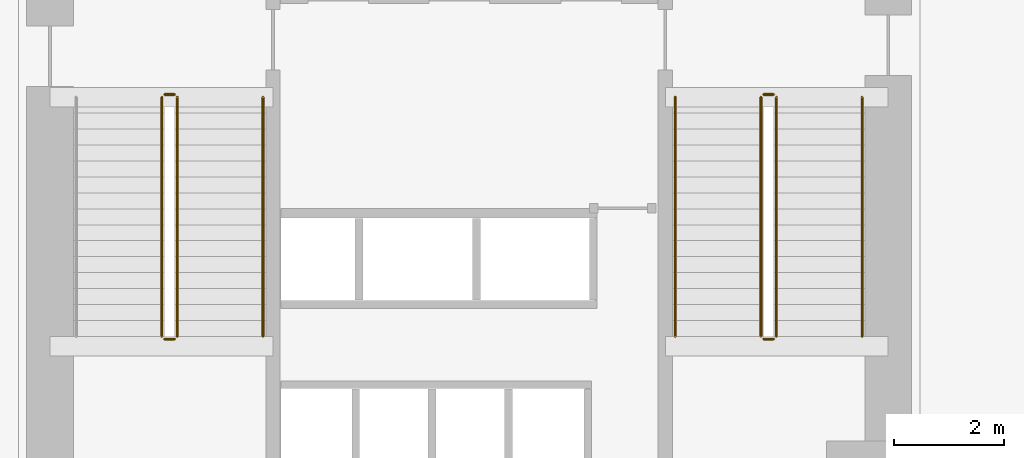
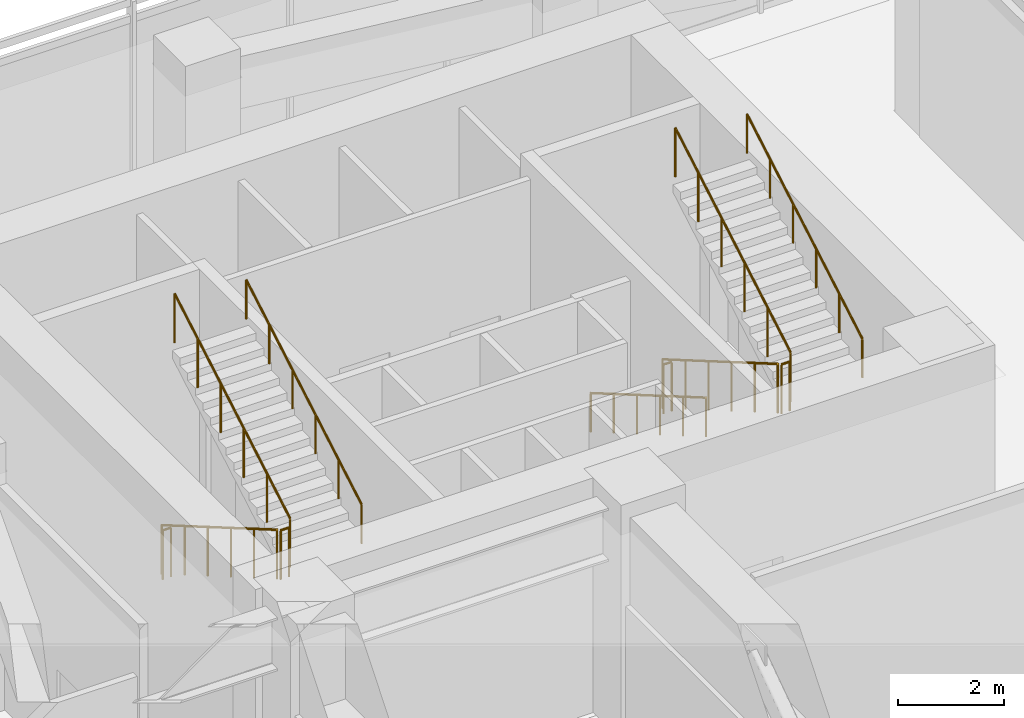
# One storey, part 21 of 21: 11 railings.
"""IFC4 building model written with IfcOpenShell, lengths in metres."""

from ifc_helpers import new_model, si_unit, direction, frame, origin, origin_2d, place, context, subcontext, project, spatial, circle, extrude, material, type_object, element, save


model = new_model("IFC4")

# Units and contexts
model_context = context("Model", 3, precision=1e-05, world=origin(), true_north=direction((0.0, 1.0)))
body_context = subcontext(model_context, "Body", "Model", "MODEL_VIEW")
ifc_project = project(units=[si_unit("LENGTHUNIT", "METRE"), si_unit("AREAUNIT", "SQUARE_METRE"), si_unit("VOLUMEUNIT", "CUBIC_METRE"), si_unit("PLANEANGLEUNIT", "RADIAN"), si_unit("MASSUNIT", "GRAM", prefix="KILO")], contexts=[model_context])

# Site, building, storey
site_placement = place(None, origin())
site = spatial("IfcSite", under=ifc_project, at=site_placement, CompositionType="ELEMENT")
building_placement = place(site_placement, origin())
building = spatial("IfcBuilding", under=site, at=building_placement, Name="Calvemar Wedge Station Tower", CompositionType="ELEMENT")
storey_placement = place(building_placement, frame((0.0, 0.0, 21.60009765625)))
storey = spatial("IfcBuildingStorey", under=building, at=storey_placement, Name="L05", CompositionType="ELEMENT", Elevation=21.60009765625)

# Railings
ifc_material_1 = material(Name="Stainless steel AISI 316L", Category="steel")
railing_type_1 = type_object("IfcRailingType", Name="RL-HANDRAIL-920", PredefinedType="HANDRAIL", material=ifc_material_1)
railing_1_placement = place(storey_placement, frame((20.050048828125, 36.800048828125, 2.86865234375)))
element("IfcRailing", 1, at=railing_1_placement, inside=storey, type_object=railing_type_1, Name="L05 ST-C1 stair handrail 2", PredefinedType="HANDRAIL", context=body_context, shape_type="SweptSolid", body=[
    extrude(circle(Radius=0.02392578125, at=origin_2d()), frame((0.0, 0.0, 0.89599609375), z_axis=(0.0, 0.864311530196, 0.502956835891), x_axis=(-1.0, 0.0, 0.0)), (0.0, 0.0, 1.0), 5.03271484375),
    extrude(circle(Radius=0.02099609375, at=origin_2d()), origin(), (0.0, 0.0, 1.0), 0.871826171875),
    extrude(circle(Radius=0.02099609375, at=origin_2d()), frame((0.0, 0.869873046875, 0.50634765625)), (0.0, 0.0, 1.0), 0.871826171875),
    extrude(circle(Radius=0.02099609375, at=origin_2d()), frame((0.0, 1.739990234375, 1.012451171875)), (0.0, 0.0, 1.0), 0.871826171875),
    extrude(circle(Radius=0.02099609375, at=origin_2d()), frame((0.0, 2.60986328125, 1.518798828125)), (0.0, 0.0, 1.0), 0.871826171875),
    extrude(circle(Radius=0.02099609375, at=origin_2d()), frame((0.0, 3.47998046875, 2.02490234375)), (0.0, 0.0, 1.0), 0.871826171875),
    extrude(circle(Radius=0.02099609375, at=origin_2d()), frame((0.0, 4.349853515625, 2.53125)), (0.0, 0.0, 1.0), 0.871826171875),
])
railing_2_placement = place(storey_placement, frame((27.550048828125, 41.14990234375, 0.168701171875)))
element("IfcRailing", 2, at=railing_2_placement, inside=storey, type_object=railing_type_1, Name="L05 ST-C2 stair handrail 1", PredefinedType="HANDRAIL", context=body_context, shape_type="SweptSolid", body=[
    extrude(circle(Radius=0.02392578125, at=origin_2d()), frame((0.0, 0.0, 0.89599609375), z_axis=(0.0, -0.864311530196, 0.502956835891), x_axis=(1.0, 0.0, 0.0)), (0.0, 0.0, 1.0), 5.03271484375),
    extrude(circle(Radius=0.02099609375, at=origin_2d()), origin(), (0.0, 0.0, 1.0), 0.871826171875),
    extrude(circle(Radius=0.02099609375, at=origin_2d()), frame((0.0, -0.869873046875, 0.50634765625)), (0.0, 0.0, 1.0), 0.871826171875),
    extrude(circle(Radius=0.02099609375, at=origin_2d()), frame((0.0, -1.739990234375, 1.012451171875)), (0.0, 0.0, 1.0), 0.871826171875),
    extrude(circle(Radius=0.02099609375, at=origin_2d()), frame((0.0, -2.60986328125, 1.518798828125)), (0.0, 0.0, 1.0), 0.871826171875),
    extrude(circle(Radius=0.02099609375, at=origin_2d()), frame((0.0, -3.47998046875, 2.02490234375)), (0.0, 0.0, 1.0), 0.871826171875),
    extrude(circle(Radius=0.02099609375, at=origin_2d()), frame((0.0, -4.349853515625, 2.53125)), (0.0, 0.0, 1.0), 0.871826171875),
])
railing_3_placement = place(storey_placement, frame((30.949951171875, 36.800048828125, 2.86865234375)))
element("IfcRailing", 3, at=railing_3_placement, inside=storey, type_object=railing_type_1, Name="L05 ST-C2 stair handrail 2", PredefinedType="HANDRAIL", context=body_context, shape_type="SweptSolid", body=[
    extrude(circle(Radius=0.02392578125, at=origin_2d()), frame((0.0, 0.0, 0.89599609375), z_axis=(0.0, 0.864311530196, 0.502956835891), x_axis=(-1.0, 0.0, 0.0)), (0.0, 0.0, 1.0), 5.03271484375),
    extrude(circle(Radius=0.02099609375, at=origin_2d()), origin(), (0.0, 0.0, 1.0), 0.871826171875),
    extrude(circle(Radius=0.02099609375, at=origin_2d()), frame((0.0, 0.869873046875, 0.50634765625)), (0.0, 0.0, 1.0), 0.871826171875),
    extrude(circle(Radius=0.02099609375, at=origin_2d()), frame((0.0, 1.739990234375, 1.012451171875)), (0.0, 0.0, 1.0), 0.871826171875),
    extrude(circle(Radius=0.02099609375, at=origin_2d()), frame((0.0, 2.60986328125, 1.518798828125)), (0.0, 0.0, 1.0), 0.871826171875),
    extrude(circle(Radius=0.02099609375, at=origin_2d()), frame((0.0, 3.47998046875, 2.02490234375)), (0.0, 0.0, 1.0), 0.871826171875),
    extrude(circle(Radius=0.02099609375, at=origin_2d()), frame((0.0, 4.349853515625, 2.53125)), (0.0, 0.0, 1.0), 0.871826171875),
])
ifc_material_2 = material(Name="Painted steel guardrail ASTM A500 Grade C", Category="steel")
railing_type_2 = type_object("IfcRailingType", Name="RL-STAIR-GUARD-1150", PredefinedType="GUARDRAIL", material=ifc_material_2)
railing_4_placement = place(storey_placement, frame((18.2099609375, 41.14990234375, 0.168701171875)))
element("IfcRailing", 4, at=railing_4_placement, inside=storey, type_object=railing_type_2, Name="L05 ST-C1 stair guard 1", PredefinedType="GUARDRAIL", context=body_context, shape_type="SweptSolid", body=[
    extrude(circle(Radius=0.02392578125, at=origin_2d()), frame((0.0, 0.0, 1.1259765625), z_axis=(0.0, -0.864311530196, 0.502956835891), x_axis=(1.0, 0.0, 0.0)), (0.0, 0.0, 1.0), 5.03271484375),
    extrude(circle(Radius=0.02099609375, at=origin_2d()), origin(), (0.0, 0.0, 1.0), 1.101806640625),
    extrude(circle(Radius=0.02099609375, at=origin_2d()), frame((0.0, -0.869873046875, 0.50634765625)), (0.0, 0.0, 1.0), 1.101806640625),
    extrude(circle(Radius=0.02099609375, at=origin_2d()), frame((0.0, -1.739990234375, 1.012451171875)), (0.0, 0.0, 1.0), 1.101806640625),
    extrude(circle(Radius=0.02099609375, at=origin_2d()), frame((0.0, -2.60986328125, 1.518798828125)), (0.0, 0.0, 1.0), 1.101806640625),
    extrude(circle(Radius=0.02099609375, at=origin_2d()), frame((0.0, -3.47998046875, 2.02490234375)), (0.0, 0.0, 1.0), 1.101806640625),
    extrude(circle(Radius=0.02099609375, at=origin_2d()), frame((0.0, -4.349853515625, 2.53125)), (0.0, 0.0, 1.0), 1.101806640625),
])
railing_5_placement = place(storey_placement, frame((18.260009765625, 36.75, 2.699951171875)))
element("IfcRailing", 5, at=railing_5_placement, inside=storey, type_object=railing_type_2, Name="L05 ST-C1 stair guard 2", PredefinedType="GUARDRAIL", context=body_context, shape_type="SweptSolid", body=[
    extrude(circle(Radius=0.02392578125, at=origin_2d()), frame((0.0, 0.0, 1.1259765625), z_axis=(1.0, 0.0, 0.0), x_axis=(0.0, 1.0, 0.0)), (0.0, 0.0, 1.0), 0.179931640625),
    extrude(circle(Radius=0.02099609375, at=origin_2d()), origin(), (0.0, 0.0, 1.0), 1.101806640625),
    extrude(circle(Radius=0.02099609375, at=origin_2d()), frame((0.179931640625, 0.0, 0.0)), (0.0, 0.0, 1.0), 1.101806640625),
])
railing_6_placement = place(storey_placement, frame((18.489990234375, 36.800048828125, 2.86865234375)))
element("IfcRailing", 6, at=railing_6_placement, inside=storey, type_object=railing_type_2, Name="L05 ST-C1 stair guard 3", PredefinedType="GUARDRAIL", context=body_context, shape_type="SweptSolid", body=[
    extrude(circle(Radius=0.02392578125, at=origin_2d()), frame((0.0, 0.0, 1.1259765625), z_axis=(0.0, 0.864311530196, 0.502956835891), x_axis=(-1.0, 0.0, 0.0)), (0.0, 0.0, 1.0), 5.03271484375),
    extrude(circle(Radius=0.02099609375, at=origin_2d()), origin(), (0.0, 0.0, 1.0), 1.101806640625),
    extrude(circle(Radius=0.02099609375, at=origin_2d()), frame((0.0, 0.869873046875, 0.50634765625)), (0.0, 0.0, 1.0), 1.101806640625),
    extrude(circle(Radius=0.02099609375, at=origin_2d()), frame((0.0, 1.739990234375, 1.012451171875)), (0.0, 0.0, 1.0), 1.101806640625),
    extrude(circle(Radius=0.02099609375, at=origin_2d()), frame((0.0, 2.60986328125, 1.518798828125)), (0.0, 0.0, 1.0), 1.101806640625),
    extrude(circle(Radius=0.02099609375, at=origin_2d()), frame((0.0, 3.47998046875, 2.02490234375)), (0.0, 0.0, 1.0), 1.101806640625),
    extrude(circle(Radius=0.02099609375, at=origin_2d()), frame((0.0, 4.349853515625, 2.53125)), (0.0, 0.0, 1.0), 1.101806640625),
])
railing_7_placement = place(storey_placement, frame((18.260009765625, 41.199951171875, 0.0)))
element("IfcRailing", 7, at=railing_7_placement, inside=storey, type_object=railing_type_2, Name="L05 ST-C1 stair guard 4", PredefinedType="GUARDRAIL", context=body_context, shape_type="SweptSolid", body=[
    extrude(circle(Radius=0.02392578125, at=origin_2d()), frame((0.0, 0.0, 1.1259765625), z_axis=(1.0, 0.0, 0.0), x_axis=(0.0, 1.0, 0.0)), (0.0, 0.0, 1.0), 0.179931640625),
    extrude(circle(Radius=0.02099609375, at=origin_2d()), origin(), (0.0, 0.0, 1.0), 1.101806640625),
    extrude(circle(Radius=0.02099609375, at=origin_2d()), frame((0.179931640625, 0.0, 0.0)), (0.0, 0.0, 1.0), 1.101806640625),
])
railing_8_placement = place(storey_placement, frame((29.110107421875, 41.14990234375, 0.168701171875)))
element("IfcRailing", 8, at=railing_8_placement, inside=storey, type_object=railing_type_2, Name="L05 ST-C2 stair guard 1", PredefinedType="GUARDRAIL", context=body_context, shape_type="SweptSolid", body=[
    extrude(circle(Radius=0.02392578125, at=origin_2d()), frame((0.0, 0.0, 1.1259765625), z_axis=(0.0, -0.864311530196, 0.502956835891), x_axis=(1.0, 0.0, 0.0)), (0.0, 0.0, 1.0), 5.03271484375),
    extrude(circle(Radius=0.02099609375, at=origin_2d()), origin(), (0.0, 0.0, 1.0), 1.101806640625),
    extrude(circle(Radius=0.02099609375, at=origin_2d()), frame((0.0, -0.869873046875, 0.50634765625)), (0.0, 0.0, 1.0), 1.101806640625),
    extrude(circle(Radius=0.02099609375, at=origin_2d()), frame((0.0, -1.739990234375, 1.012451171875)), (0.0, 0.0, 1.0), 1.101806640625),
    extrude(circle(Radius=0.02099609375, at=origin_2d()), frame((0.0, -2.60986328125, 1.518798828125)), (0.0, 0.0, 1.0), 1.101806640625),
    extrude(circle(Radius=0.02099609375, at=origin_2d()), frame((0.0, -3.47998046875, 2.02490234375)), (0.0, 0.0, 1.0), 1.101806640625),
    extrude(circle(Radius=0.02099609375, at=origin_2d()), frame((0.0, -4.349853515625, 2.53125)), (0.0, 0.0, 1.0), 1.101806640625),
])
railing_9_placement = place(storey_placement, frame((29.159912109375, 36.75, 2.699951171875)))
element("IfcRailing", 9, at=railing_9_placement, inside=storey, type_object=railing_type_2, Name="L05 ST-C2 stair guard 2", PredefinedType="GUARDRAIL", context=body_context, shape_type="SweptSolid", body=[
    extrude(circle(Radius=0.02392578125, at=origin_2d()), frame((0.0, 0.0, 1.1259765625), z_axis=(1.0, 0.0, 0.0), x_axis=(0.0, 1.0, 0.0)), (0.0, 0.0, 1.0), 0.18017578125),
    extrude(circle(Radius=0.02099609375, at=origin_2d()), origin(), (0.0, 0.0, 1.0), 1.101806640625),
    extrude(circle(Radius=0.02099609375, at=origin_2d()), frame((0.18017578125, 0.0, 0.0)), (0.0, 0.0, 1.0), 1.101806640625),
])
railing_10_placement = place(storey_placement, frame((29.389892578125, 36.800048828125, 2.86865234375)))
element("IfcRailing", 10, at=railing_10_placement, inside=storey, type_object=railing_type_2, Name="L05 ST-C2 stair guard 3", PredefinedType="GUARDRAIL", context=body_context, shape_type="SweptSolid", body=[
    extrude(circle(Radius=0.02392578125, at=origin_2d()), frame((0.0, 0.0, 1.1259765625), z_axis=(0.0, 0.864311530196, 0.502956835891), x_axis=(-1.0, 0.0, 0.0)), (0.0, 0.0, 1.0), 5.03271484375),
    extrude(circle(Radius=0.02099609375, at=origin_2d()), origin(), (0.0, 0.0, 1.0), 1.101806640625),
    extrude(circle(Radius=0.02099609375, at=origin_2d()), frame((0.0, 0.869873046875, 0.50634765625)), (0.0, 0.0, 1.0), 1.101806640625),
    extrude(circle(Radius=0.02099609375, at=origin_2d()), frame((0.0, 1.739990234375, 1.012451171875)), (0.0, 0.0, 1.0), 1.101806640625),
    extrude(circle(Radius=0.02099609375, at=origin_2d()), frame((0.0, 2.60986328125, 1.518798828125)), (0.0, 0.0, 1.0), 1.101806640625),
    extrude(circle(Radius=0.02099609375, at=origin_2d()), frame((0.0, 3.47998046875, 2.02490234375)), (0.0, 0.0, 1.0), 1.101806640625),
    extrude(circle(Radius=0.02099609375, at=origin_2d()), frame((0.0, 4.349853515625, 2.53125)), (0.0, 0.0, 1.0), 1.101806640625),
])
railing_11_placement = place(storey_placement, frame((29.159912109375, 41.199951171875, 0.0)))
element("IfcRailing", 11, at=railing_11_placement, inside=storey, type_object=railing_type_2, Name="L05 ST-C2 stair guard 4", PredefinedType="GUARDRAIL", context=body_context, shape_type="SweptSolid", body=[
    extrude(circle(Radius=0.02392578125, at=origin_2d()), frame((0.0, 0.0, 1.1259765625), z_axis=(1.0, 0.0, 0.0), x_axis=(0.0, 1.0, 0.0)), (0.0, 0.0, 1.0), 0.18017578125),
    extrude(circle(Radius=0.02099609375, at=origin_2d()), origin(), (0.0, 0.0, 1.0), 1.101806640625),
    extrude(circle(Radius=0.02099609375, at=origin_2d()), frame((0.18017578125, 0.0, 0.0)), (0.0, 0.0, 1.0), 1.101806640625),
])

save(model, "model.ifc")
